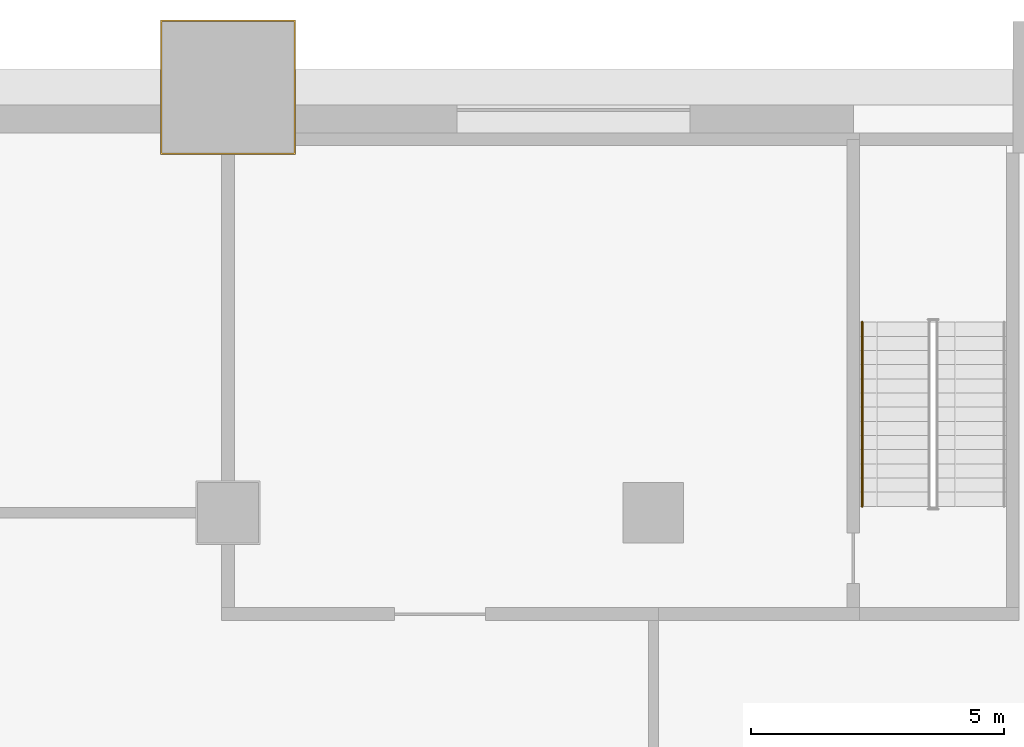
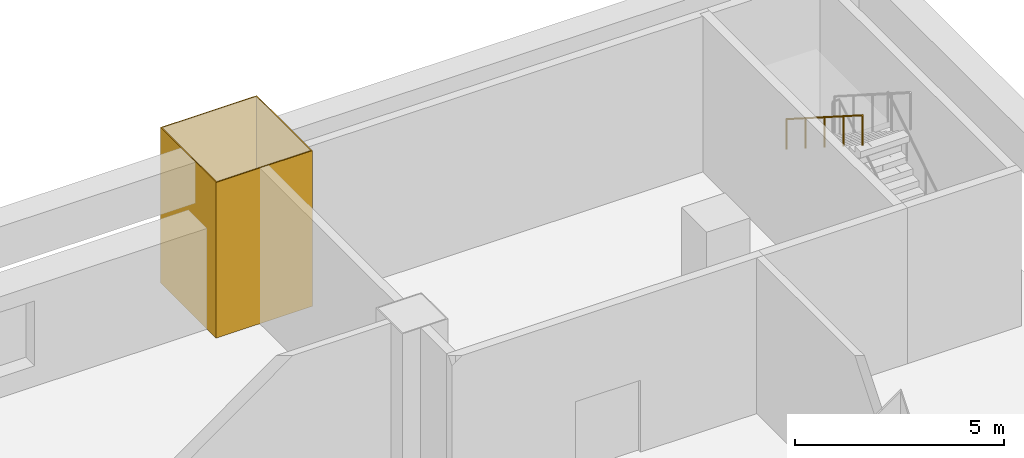
# One storey, part 15 of 17: 1 covering, 1 railing.
"""IFC4 building model written with IfcOpenShell, lengths in metres."""

from ifc_helpers import new_model, si_unit, direction, frame, origin, origin_2d, place, context, subcontext, project, spatial, polyline, circle, outline, extrude, material, layer, layer_set, type_object, element, save


model = new_model("IFC4")

# Units and contexts
model_context = context("Model", 3, precision=1e-05, world=origin(), true_north=direction((0.0, 1.0)))
body_context = subcontext(model_context, "Body", "Model", "MODEL_VIEW")
ifc_project = project(units=[si_unit("LENGTHUNIT", "METRE"), si_unit("AREAUNIT", "SQUARE_METRE"), si_unit("VOLUMEUNIT", "CUBIC_METRE"), si_unit("PLANEANGLEUNIT", "RADIAN"), si_unit("MASSUNIT", "GRAM", prefix="KILO")], contexts=[model_context])

# Site, building, storey
site_placement = place(None, origin())
site = spatial("IfcSite", under=ifc_project, at=site_placement, CompositionType="ELEMENT")
building_placement = place(site_placement, origin())
building = spatial("IfcBuilding", under=site, at=building_placement, Name="Cantera Rosa Tower", CompositionType="ELEMENT")
storey_placement = place(building_placement, frame((0.0, 0.0, 32.0)))
storey = spatial("IfcBuildingStorey", under=building, at=storey_placement, Name="L05", CompositionType="ELEMENT", Elevation=32.0)

# Covering
ifc_material_1 = material(Name="Plaster")
ifc_layer = layer(ifc_material_1, 0.030029296875)
ifc_layer_set = layer_set([ifc_layer], Name="Column casing 30")
covering_type = type_object("IfcCoveringType", Name="Column casing 30", PredefinedType="CLADDING", material=ifc_layer_set)
covering_placement = place(storey_placement, origin())
element("IfcCovering", 1, at=covering_placement, inside=storey, type_object=covering_type, Name="Column casing L05-031", PredefinedType="CLADDING", context=body_context, shape_type="SweptSolid", body=[
    extrude(outline(polyline([(15.469970703125, 28.070068359375), (18.1298828125, 28.070068359375), (18.1298828125, 30.72998046875), (15.469970703125, 30.72998046875), (15.469970703125, 28.070068359375)]), holes=[polyline([(18.10009765625, 30.699951171875), (15.5, 30.699951171875), (15.5, 28.10009765625), (18.10009765625, 28.10009765625), (18.10009765625, 30.699951171875)])]), origin(), (0.0, 0.0, 1.0), 4.550048828125),
])

# Railing
ifc_material_2 = material(Name="Steel S355J2 (EN 10025-2)", Category="steel")
railing_type = type_object("IfcRailingType", Name="STAIR HANDRAIL 900", PredefinedType="HANDRAIL", material=ifc_material_2)
railing_placement = place(storey_placement, frame((29.324951171875, 24.764892578125, 2.678466796875)))
element("IfcRailing", 2, at=railing_placement, inside=storey, type_object=railing_type, Name="L05 ST-NE stair handrail 2", PredefinedType="HANDRAIL", context=body_context, shape_type="SweptSolid", body=[
    extrude(circle(Radius=0.02392578125, at=origin_2d()), frame((0.0, 0.0, 0.8759765625), z_axis=(0.0, -0.843111507901, 0.53773877045), x_axis=(1.0, 0.0, 0.0)), (0.0, 0.0, 1.0), 4.317138671875),
    extrude(circle(Radius=0.02099609375, at=origin_2d()), origin(), (0.0, 0.0, 1.0), 0.851806640625),
    extrude(circle(Radius=0.02099609375, at=origin_2d()), frame((0.0, -0.909912109375, 0.580322265625)), (0.0, 0.0, 1.0), 0.851806640625),
    extrude(circle(Radius=0.02099609375, at=origin_2d()), frame((0.0, -1.81982421875, 1.16064453125)), (0.0, 0.0, 1.0), 0.851806640625),
    extrude(circle(Radius=0.02099609375, at=origin_2d()), frame((0.0, -2.72998046875, 1.7412109375)), (0.0, 0.0, 1.0), 0.851806640625),
    extrude(circle(Radius=0.02099609375, at=origin_2d()), frame((0.0, -3.639892578125, 2.321533203125)), (0.0, 0.0, 1.0), 0.851806640625),
])

save(model, "model.ifc")
